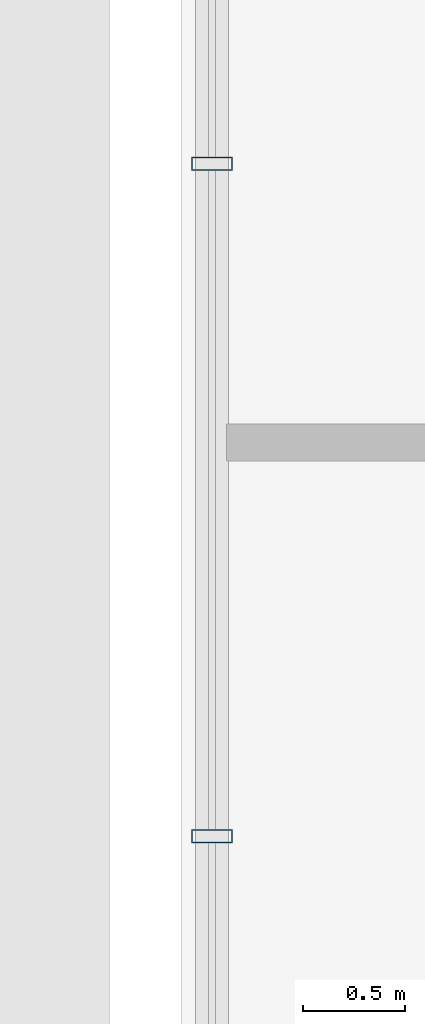
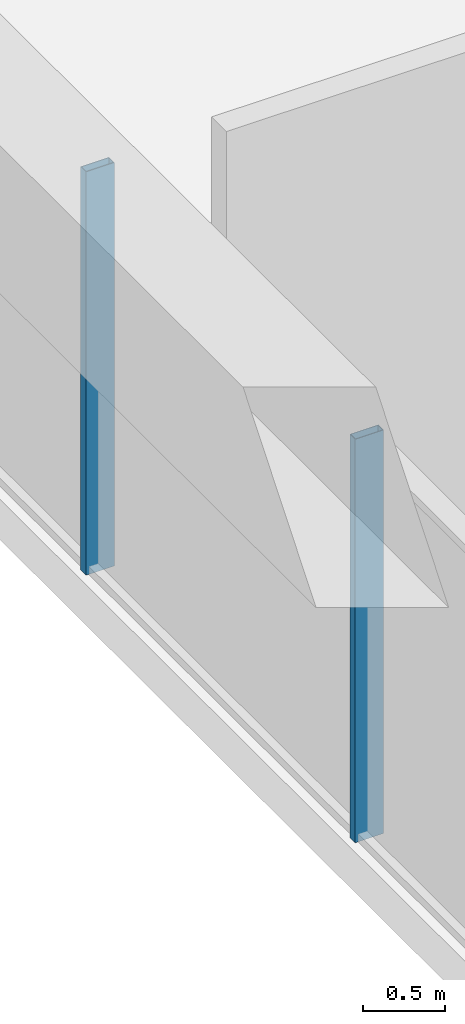
# One storey, part 4 of 16: 2 members, 1 element without a shape of its own.
"""IFC4 building model written with IfcOpenShell, lengths in metres."""

from ifc_helpers import new_model, si_unit, direction, frame, origin, origin_2d, place, context, subcontext, project, spatial, hollow_rectangle, extrude, source, transform, mapped, material, layer, layer_set, material_profile, profile_set, type_object, element, aggregate, save


model = new_model("IFC4")

# Units and contexts
model_context = context("Model", 3, precision=1e-05, world=origin(), true_north=direction((0.0, 1.0)))
body_context = subcontext(model_context, "Body", "Model", "MODEL_VIEW")
ifc_project = project(units=[si_unit("LENGTHUNIT", "METRE"), si_unit("AREAUNIT", "SQUARE_METRE"), si_unit("VOLUMEUNIT", "CUBIC_METRE"), si_unit("PLANEANGLEUNIT", "RADIAN"), si_unit("MASSUNIT", "GRAM", prefix="KILO")], contexts=[model_context])

# Site, building, storey
site_placement = place(None, origin())
site = spatial("IfcSite", under=ifc_project, at=site_placement, CompositionType="ELEMENT")
building_placement = place(site_placement, origin())
building = spatial("IfcBuilding", under=site, at=building_placement, Name="Veraguas Prism Commons", CompositionType="ELEMENT")
storey_placement = place(building_placement, frame((0.0, 0.0, 9.60009765625)))
storey = spatial("IfcBuildingStorey", under=building, at=storey_placement, Name="L02", CompositionType="ELEMENT", Elevation=9.60009765625)

# Curtain wall, members
ifc_material = material(Name="Anodised aluminium EN AW-6063 T6", Category="aluminium")
ifc_layer = layer(ifc_material, 0.199951171875, Name="Metro Concourse Structural Glazing", Category="aluminium")
ifc_layer_set = layer_set([ifc_layer], Name="Anodised aluminium EN AW-6063 T6")
curtain_wall_type = type_object("IfcCurtainWallType", Name="Metro Concourse Structural Glazing", PredefinedType="NOTDEFINED", material=ifc_layer_set)
curtain_wall_placement = place(storey_placement, origin())
curtain_wall = element("IfcCurtainWall", 1, at=curtain_wall_placement, inside=storey, type_object=curtain_wall_type, Name="Via Espana Metro Concourse Curtain Wall L02-W02", PredefinedType="NOTDEFINED")
ifc_material_profile = material_profile(ifc_material, hollow_rectangle(XDim=0.06494140625, YDim=0.199951171875, WallThickness=0.00390625, at=origin_2d()), Name="AL65X200X4")
ifc_profile_set = profile_set([ifc_material_profile], Name="Anodised aluminium EN AW-6063 T6")
member_type = type_object("IfcMemberType", Name="Curtain Wall Mullion Heavy AL 65x200x4", PredefinedType="MULLION", material=ifc_profile_set)
shared_shape = source(origin(), body_context, "Body", "SweptSolid", [
    extrude(hollow_rectangle(XDim=0.06494140625, YDim=0.199951171875, WallThickness=0.00390625, at=origin_2d()), origin(), (0.0, 0.0, 1.0), 3.0),
])
member_1_placement = place(storey_placement, frame((2.14990234375, 22.360107421875, 0.0), z_axis=(0.0, 0.0, 1.0), x_axis=(0.0, -1.0, 0.0)))
member_1 = element("IfcMember", 2, at=member_1_placement, type_object=member_type, Name="CW-STN Mullion 4", PredefinedType="MULLION", context=body_context, shape_type="MappedRepresentation", body=[
    mapped(shared_shape, transform((0.0, 0.0, 0.0), scale=1.0)),
])
member_2_placement = place(storey_placement, frame((2.14990234375, 19.080078125, 0.0), z_axis=(0.0, 0.0, 1.0), x_axis=(0.0, -1.0, 0.0)))
member_2 = element("IfcMember", 3, at=member_2_placement, type_object=member_type, Name="CW-STN Mullion 5", PredefinedType="MULLION", context=body_context, shape_type="MappedRepresentation", body=[
    mapped(shared_shape, transform((0.0, 0.0, 0.0), scale=1.0)),
])
aggregate(curtain_wall, [member_1, member_2])

save(model, "model.ifc")
